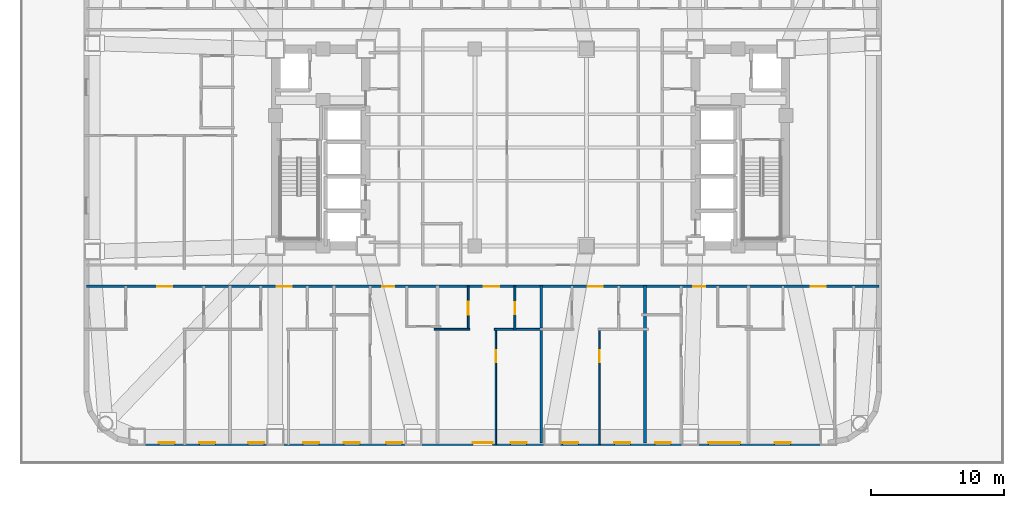
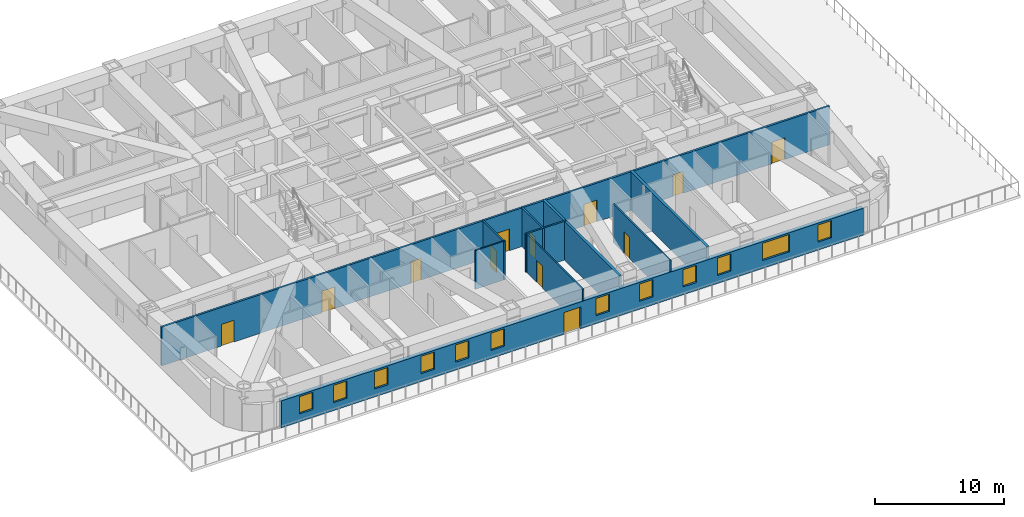
# One storey, part 5 of 15: 12 doors, 12 windows, 10 walls, 24 openings.
"""IFC4 building model written with IfcOpenShell, lengths in metres."""

from ifc_helpers import new_model, si_unit, direction, frame, frame_2d, origin, place, context, subcontext, project, spatial, rectangle, extrude, material, layer, layer_set, type_object, element, fill, save


model = new_model("IFC4")

# Units and contexts
model_context = context("Model", 3, precision=1e-05, world=origin(), true_north=direction((0.0, 1.0)))
body_context = subcontext(model_context, "Body", "Model", "MODEL_VIEW")
ifc_project = project(units=[si_unit("LENGTHUNIT", "METRE"), si_unit("AREAUNIT", "SQUARE_METRE"), si_unit("VOLUMEUNIT", "CUBIC_METRE"), si_unit("PLANEANGLEUNIT", "RADIAN"), si_unit("MASSUNIT", "GRAM", prefix="KILO")], contexts=[model_context])

# Site, building, storey
site_placement = place(None, origin())
site = spatial("IfcSite", under=ifc_project, at=site_placement, CompositionType="ELEMENT")
building_placement = place(site_placement, origin())
building = spatial("IfcBuilding", under=site, at=building_placement, Name="Voryun Gate Residences", CompositionType="ELEMENT")
storey_placement = place(building_placement, frame((0.0, 0.0, 26.0)))
storey = spatial("IfcBuildingStorey", under=building, at=storey_placement, Name="L05", CompositionType="ELEMENT", Elevation=26.0)

# Wall, openings, doors
ifc_material_1 = material(Name="Gypsum acoustic fireboard")
ifc_layer_1 = layer(ifc_material_1, 0.179931640625, Name="W_CORR_RATED_180")
ifc_layer_set_1 = layer_set([ifc_layer_1], Name="Gypsum acoustic fireboard")
wall_type_1 = type_object("IfcWallType", Name="W_CORR_RATED_180", PredefinedType="PARTITIONING", material=ifc_layer_set_1)
wall_1_placement = place(storey_placement, frame((-33.409912109375, -10.449951171875, 0.0), z_axis=(0.0, 0.0, 1.0), x_axis=(1.0, 0.0, 0.0)))
wall_1 = element("IfcWall", 1, at=wall_1_placement, inside=storey, type_object=wall_type_1, Name="Partition wall WP-L05-SCORR", PredefinedType="PARTITIONING", context=body_context, shape_type="SweptSolid", body=[
    extrude(rectangle(XDim=59.619873046875, YDim=0.179931640625, at=frame_2d((29.81005859375, 0.0))), origin(), (0.0, 0.0, 1.0), 3.64990234375),
])
opening_1_placement = place(wall_1_placement, frame((5.3212890625, 0.0, 0.0)))
opening_1 = element("IfcOpeningElement", 2, at=opening_1_placement, cuts=wall_1, Name="Opening D-UNIT-1", PredefinedType="OPENING", context=body_context, shape_type="SweptSolid", body=[
    extrude(rectangle(XDim=1.14990234375, YDim=2.050048828125, at=frame_2d((0.574951171875, 1.02490234375))), frame((0.0, 0.099853515625, 0.0), z_axis=(0.0, -1.0, 0.0), x_axis=(1.0, 0.0, 0.0)), (0.0, 0.0, 1.0), 0.199951171875),
])
opening_2_placement = place(wall_1_placement, frame((14.30029296875, 0.0, 0.0)))
opening_2 = element("IfcOpeningElement", 3, at=opening_2_placement, cuts=wall_1, Name="Opening D-UNIT-1", PredefinedType="OPENING", context=body_context, shape_type="SweptSolid", body=[
    extrude(rectangle(XDim=1.14990234375, YDim=2.050048828125, at=frame_2d((0.574951171875, 1.02490234375))), frame((0.0, 0.099853515625, 0.0), z_axis=(0.0, -1.0, 0.0), x_axis=(1.0, 0.0, 0.0)), (0.0, 0.0, 1.0), 0.199951171875),
])
opening_3_placement = place(wall_1_placement, frame((22.26513671875, 0.0, 0.0)))
opening_3 = element("IfcOpeningElement", 4, at=opening_3_placement, cuts=wall_1, Name="Opening D-INT-2", PredefinedType="OPENING", context=body_context, shape_type="SweptSolid", body=[
    extrude(rectangle(XDim=0.89990234375, YDim=2.050048828125, at=frame_2d((0.449951171875, 1.02490234375))), frame((0.0, 0.099853515625, 0.0), z_axis=(0.0, -1.0, 0.0), x_axis=(1.0, 0.0, 0.0)), (0.0, 0.0, 1.0), 0.199951171875),
])
opening_4_placement = place(wall_1_placement, frame((29.902587890625, 0.0, 0.0)))
opening_4 = element("IfcOpeningElement", 5, at=opening_4_placement, cuts=wall_1, Name="Opening D-UNIT-1", PredefinedType="OPENING", context=body_context, shape_type="SweptSolid", body=[
    extrude(rectangle(XDim=1.14990234375, YDim=2.050048828125, at=frame_2d((0.574951171875, 1.02490234375))), frame((0.0, 0.099853515625, 0.0), z_axis=(0.0, -1.0, 0.0), x_axis=(1.0, 0.0, 0.0)), (0.0, 0.0, 1.0), 0.199951171875),
])
opening_5_placement = place(wall_1_placement, frame((37.700927734375, 0.0, 0.0)))
opening_5 = element("IfcOpeningElement", 6, at=opening_5_placement, cuts=wall_1, Name="Opening D-UNIT-1", PredefinedType="OPENING", context=body_context, shape_type="SweptSolid", body=[
    extrude(rectangle(XDim=1.14990234375, YDim=2.050048828125, at=frame_2d((0.574951171875, 1.02490234375))), frame((0.0, 0.099853515625, 0.0), z_axis=(0.0, -1.0, 0.0), x_axis=(1.0, 0.0, 0.0)), (0.0, 0.0, 1.0), 0.199951171875),
])
opening_6_placement = place(wall_1_placement, frame((45.654052734375, 0.0, 0.0)))
opening_6 = element("IfcOpeningElement", 7, at=opening_6_placement, cuts=wall_1, Name="Opening D-INT-2", PredefinedType="OPENING", context=body_context, shape_type="SweptSolid", body=[
    extrude(rectangle(XDim=0.89990234375, YDim=2.050048828125, at=frame_2d((0.449951171875, 1.02490234375))), frame((0.0, 0.099853515625, 0.0), z_axis=(0.0, -1.0, 0.0), x_axis=(1.0, 0.0, 0.0)), (0.0, 0.0, 1.0), 0.199951171875),
])
opening_7_placement = place(wall_1_placement, frame((54.47216796875, 0.0, 0.0)))
opening_7 = element("IfcOpeningElement", 8, at=opening_7_placement, cuts=wall_1, Name="Opening D-UNIT-1", PredefinedType="OPENING", context=body_context, shape_type="SweptSolid", body=[
    extrude(rectangle(XDim=1.14990234375, YDim=2.050048828125, at=frame_2d((0.574951171875, 1.02490234375))), frame((0.0, 0.099853515625, 0.0), z_axis=(0.0, -1.0, 0.0), x_axis=(1.0, 0.0, 0.0)), (0.0, 0.0, 1.0), 0.199951171875),
])
ifc_material_2 = material(Name="Architectural oak veneer")
door_type_1 = type_object("IfcDoorType", Name="DR_INT_BATH_900", OperationType="NOTDEFINED", PredefinedType="DOOR", material=ifc_material_2)
door_1_placement = place(opening_3_placement, origin())
door_1 = element("IfcDoor", 9, at=door_1_placement, inside=storey, type_object=door_type_1, Name="Door DR-L05-SENT-3", OperationType="SINGLE_SWING_RIGHT", OverallHeight=2.050048828125, OverallWidth=0.89990234375, PredefinedType="DOOR", context=body_context, shape_type="SweptSolid", body=[
    extrude(rectangle(XDim=0.89990234375, YDim=2.050048828125, at=frame_2d((0.449951171875, 1.02490234375))), frame((0.0, 0.02490234375, 0.0), z_axis=(0.0, -1.0, 0.0), x_axis=(1.0, 0.0, 0.0)), (0.0, 0.0, 1.0), 0.050048828125),
])
fill(opening_3, door_1)
door_2_placement = place(opening_6_placement, origin())
door_2 = element("IfcDoor", 10, at=door_2_placement, inside=storey, type_object=door_type_1, Name="Door DR-L05-SENT-6", OperationType="SINGLE_SWING_LEFT", OverallHeight=2.050048828125, OverallWidth=0.89990234375, PredefinedType="DOOR", context=body_context, shape_type="SweptSolid", body=[
    extrude(rectangle(XDim=0.89990234375, YDim=2.050048828125, at=frame_2d((0.449951171875, 1.02490234375))), frame((0.0, 0.02490234375, 0.0), z_axis=(0.0, -1.0, 0.0), x_axis=(1.0, 0.0, 0.0)), (0.0, 0.0, 1.0), 0.050048828125),
])
fill(opening_6, door_2)
ifc_material_3 = material(Name="Armoured timber-clad fire door", Category="wood")
door_type_2 = type_object("IfcDoorType", Name="DR_UNIT_ENTRY_1150", OperationType="NOTDEFINED", PredefinedType="DOOR", material=ifc_material_3)
door_3_placement = place(opening_1_placement, origin())
door_3 = element("IfcDoor", 11, at=door_3_placement, inside=storey, type_object=door_type_2, Name="Door DR-L05-SENT-1", OperationType="SINGLE_SWING_RIGHT", OverallHeight=2.050048828125, OverallWidth=1.14990234375, PredefinedType="DOOR", context=body_context, shape_type="SweptSolid", body=[
    extrude(rectangle(XDim=1.14990234375, YDim=2.050048828125, at=frame_2d((0.574951171875, 1.02490234375))), frame((0.0, 0.02490234375, 0.0), z_axis=(0.0, -1.0, 0.0), x_axis=(1.0, 0.0, 0.0)), (0.0, 0.0, 1.0), 0.050048828125),
])
fill(opening_1, door_3)
door_4_placement = place(opening_2_placement, origin())
door_4 = element("IfcDoor", 12, at=door_4_placement, inside=storey, type_object=door_type_2, Name="Door DR-L05-SENT-2", OperationType="SINGLE_SWING_LEFT", OverallHeight=2.050048828125, OverallWidth=1.14990234375, PredefinedType="DOOR", context=body_context, shape_type="SweptSolid", body=[
    extrude(rectangle(XDim=1.14990234375, YDim=2.050048828125, at=frame_2d((0.574951171875, 1.02490234375))), frame((0.0, 0.02490234375, 0.0), z_axis=(0.0, -1.0, 0.0), x_axis=(1.0, 0.0, 0.0)), (0.0, 0.0, 1.0), 0.050048828125),
])
fill(opening_2, door_4)
door_5_placement = place(opening_4_placement, origin())
door_5 = element("IfcDoor", 13, at=door_5_placement, inside=storey, type_object=door_type_2, Name="Door DR-L05-SENT-4", OperationType="SINGLE_SWING_LEFT", OverallHeight=2.050048828125, OverallWidth=1.14990234375, PredefinedType="DOOR", context=body_context, shape_type="SweptSolid", body=[
    extrude(rectangle(XDim=1.14990234375, YDim=2.050048828125, at=frame_2d((0.574951171875, 1.02490234375))), frame((0.0, 0.02490234375, 0.0), z_axis=(0.0, -1.0, 0.0), x_axis=(1.0, 0.0, 0.0)), (0.0, 0.0, 1.0), 0.050048828125),
])
fill(opening_4, door_5)
door_6_placement = place(opening_5_placement, origin())
door_6 = element("IfcDoor", 14, at=door_6_placement, inside=storey, type_object=door_type_2, Name="Door DR-L05-SENT-5", OperationType="SINGLE_SWING_RIGHT", OverallHeight=2.050048828125, OverallWidth=1.14990234375, PredefinedType="DOOR", context=body_context, shape_type="SweptSolid", body=[
    extrude(rectangle(XDim=1.14990234375, YDim=2.050048828125, at=frame_2d((0.574951171875, 1.02490234375))), frame((0.0, 0.02490234375, 0.0), z_axis=(0.0, -1.0, 0.0), x_axis=(1.0, 0.0, 0.0)), (0.0, 0.0, 1.0), 0.050048828125),
])
fill(opening_5, door_6)
door_7_placement = place(opening_7_placement, origin())
door_7 = element("IfcDoor", 15, at=door_7_placement, inside=storey, type_object=door_type_2, Name="Door DR-L05-SENT-7", OperationType="SINGLE_SWING_RIGHT", OverallHeight=2.050048828125, OverallWidth=1.14990234375, PredefinedType="DOOR", context=body_context, shape_type="SweptSolid", body=[
    extrude(rectangle(XDim=1.14990234375, YDim=2.050048828125, at=frame_2d((0.574951171875, 1.02490234375))), frame((0.0, 0.02490234375, 0.0), z_axis=(0.0, -1.0, 0.0), x_axis=(1.0, 0.0, 0.0)), (0.0, 0.0, 1.0), 0.050048828125),
])
fill(opening_7, door_7)

# Wall, openings, door, windows
ifc_material_4 = material(Name="Granite masonry", Category="masonry")
ifc_layer_2 = layer(ifc_material_4, 0.3798828125, Name="W_EXT_GRANITE_380")
ifc_layer_set_2 = layer_set([ifc_layer_2], Name="Granite masonry")
wall_type_2 = type_object("IfcWallType", Name="W_EXT_GRANITE_380", PredefinedType="ELEMENTEDWALL", material=ifc_layer_set_2)
wall_2_placement = place(storey_placement, frame((22.38134765625, -22.2099609375, 0.0), z_axis=(0.0, 0.0, 1.0), x_axis=(-1.0, 0.0, 0.0)))
wall_2 = element("IfcWall", 16, at=wall_2_placement, inside=storey, type_object=wall_type_2, Name="Exterior wall WEXT-L05-01", PredefinedType="ELEMENTEDWALL", context=body_context, shape_type="SweptSolid", body=[
    extrude(rectangle(XDim=51.962646484375, YDim=0.3798828125, at=frame_2d((25.9814453125, 0.0))), origin(), (0.0, 0.0, 1.0), 2.5400390625),
])
opening_8_placement = place(wall_2_placement, frame((25.23095703125, 0.0, 0.0)))
opening_8 = element("IfcOpeningElement", 17, at=opening_8_placement, cuts=wall_2, Name="Opening D-TER-1", PredefinedType="OPENING", context=body_context, shape_type="SweptSolid", body=[
    extrude(rectangle(XDim=1.5, YDim=2.050048828125, at=frame_2d((0.75, 1.02490234375))), frame((0.0, 0.199951171875, 0.0), z_axis=(0.0, -1.0, 0.0), x_axis=(1.0, 0.0, 0.0)), (0.0, 0.0, 1.0), 0.39990234375),
])
opening_9_placement = place(wall_2_placement, frame((6.6103515625, 0.0, 0.75)))
opening_9 = element("IfcOpeningElement", 18, at=opening_9_placement, cuts=wall_2, Name="Opening WN2", PredefinedType="OPENING", context=body_context, shape_type="SweptSolid", body=[
    extrude(rectangle(XDim=2.39990234375, YDim=1.6298828125, at=frame_2d((1.199951171875, 0.81494140625))), frame((0.0, 0.199951171875, 0.0), z_axis=(0.0, -1.0, 0.0), x_axis=(1.0, 0.0, 0.0)), (0.0, 0.0, 1.0), 0.39990234375),
])
opening_10_placement = place(wall_2_placement, frame((49.1318359375, 0.0, 0.75)))
opening_10 = element("IfcOpeningElement", 19, at=opening_10_placement, cuts=wall_2, Name="Opening WN6", PredefinedType="OPENING", context=body_context, shape_type="SweptSolid", body=[
    extrude(rectangle(XDim=1.199951171875, YDim=1.6298828125, at=frame_2d((0.60009765625, 0.81494140625))), frame((0.0, 0.199951171875, 0.0), z_axis=(0.0, -1.0, 0.0), x_axis=(1.0, 0.0, 0.0)), (0.0, 0.0, 1.0), 0.39990234375),
])
opening_11_placement = place(wall_2_placement, frame((46.086181640625, 0.0, 0.75)))
opening_11 = element("IfcOpeningElement", 20, at=opening_11_placement, cuts=wall_2, Name="Opening WN6", PredefinedType="OPENING", context=body_context, shape_type="SweptSolid", body=[
    extrude(rectangle(XDim=1.199951171875, YDim=1.6298828125, at=frame_2d((0.60009765625, 0.81494140625))), frame((0.0, 0.199951171875, 0.0), z_axis=(0.0, -1.0, 0.0), x_axis=(1.0, 0.0, 0.0)), (0.0, 0.0, 1.0), 0.39990234375),
])
opening_12_placement = place(wall_2_placement, frame((42.42626953125, 0.0, 0.75)))
opening_12 = element("IfcOpeningElement", 21, at=opening_12_placement, cuts=wall_2, Name="Opening WN6", PredefinedType="OPENING", context=body_context, shape_type="SweptSolid", body=[
    extrude(rectangle(XDim=1.199951171875, YDim=1.6298828125, at=frame_2d((0.60009765625, 0.81494140625))), frame((0.0, 0.199951171875, 0.0), z_axis=(0.0, -1.0, 0.0), x_axis=(1.0, 0.0, 0.0)), (0.0, 0.0, 1.0), 0.39990234375),
])
opening_13_placement = place(wall_2_placement, frame((38.286376953125, 0.0, 0.75)))
opening_13 = element("IfcOpeningElement", 22, at=opening_13_placement, cuts=wall_2, Name="Opening WN6", PredefinedType="OPENING", context=body_context, shape_type="SweptSolid", body=[
    extrude(rectangle(XDim=1.199951171875, YDim=1.6298828125, at=frame_2d((0.60009765625, 0.81494140625))), frame((0.0, 0.199951171875, 0.0), z_axis=(0.0, -1.0, 0.0), x_axis=(1.0, 0.0, 0.0)), (0.0, 0.0, 1.0), 0.39990234375),
])
opening_14_placement = place(wall_2_placement, frame((35.21875, 0.0, 0.75)))
opening_14 = element("IfcOpeningElement", 23, at=opening_14_placement, cuts=wall_2, Name="Opening WN6", PredefinedType="OPENING", context=body_context, shape_type="SweptSolid", body=[
    extrude(rectangle(XDim=1.199951171875, YDim=1.6298828125, at=frame_2d((0.60009765625, 0.81494140625))), frame((0.0, 0.199951171875, 0.0), z_axis=(0.0, -1.0, 0.0), x_axis=(1.0, 0.0, 0.0)), (0.0, 0.0, 1.0), 0.39990234375),
])
opening_15_placement = place(wall_2_placement, frame((32.038818359375, 0.0, 0.75)))
opening_15 = element("IfcOpeningElement", 24, at=opening_15_placement, cuts=wall_2, Name="Opening WN6", PredefinedType="OPENING", context=body_context, shape_type="SweptSolid", body=[
    extrude(rectangle(XDim=1.199951171875, YDim=1.6298828125, at=frame_2d((0.60009765625, 0.81494140625))), frame((0.0, 0.199951171875, 0.0), z_axis=(0.0, -1.0, 0.0), x_axis=(1.0, 0.0, 0.0)), (0.0, 0.0, 1.0), 0.39990234375),
])
opening_16_placement = place(wall_2_placement, frame((22.686279296875, 0.0, 0.75)))
opening_16 = element("IfcOpeningElement", 25, at=opening_16_placement, cuts=wall_2, Name="Opening WN6", PredefinedType="OPENING", context=body_context, shape_type="SweptSolid", body=[
    extrude(rectangle(XDim=1.199951171875, YDim=1.6298828125, at=frame_2d((0.60009765625, 0.81494140625))), frame((0.0, 0.199951171875, 0.0), z_axis=(0.0, -1.0, 0.0), x_axis=(1.0, 0.0, 0.0)), (0.0, 0.0, 1.0), 0.39990234375),
])
opening_17_placement = place(wall_2_placement, frame((18.786376953125, 0.0, 0.75)))
opening_17 = element("IfcOpeningElement", 26, at=opening_17_placement, cuts=wall_2, Name="Opening WN6", PredefinedType="OPENING", context=body_context, shape_type="SweptSolid", body=[
    extrude(rectangle(XDim=1.199951171875, YDim=1.6298828125, at=frame_2d((0.60009765625, 0.81494140625))), frame((0.0, 0.199951171875, 0.0), z_axis=(0.0, -1.0, 0.0), x_axis=(1.0, 0.0, 0.0)), (0.0, 0.0, 1.0), 0.39990234375),
])
opening_18_placement = place(wall_2_placement, frame((14.88623046875, 0.0, 0.75)))
opening_18 = element("IfcOpeningElement", 27, at=opening_18_placement, cuts=wall_2, Name="Opening WN6", PredefinedType="OPENING", context=body_context, shape_type="SweptSolid", body=[
    extrude(rectangle(XDim=1.199951171875, YDim=1.6298828125, at=frame_2d((0.60009765625, 0.81494140625))), frame((0.0, 0.199951171875, 0.0), z_axis=(0.0, -1.0, 0.0), x_axis=(1.0, 0.0, 0.0)), (0.0, 0.0, 1.0), 0.39990234375),
])
opening_19_placement = place(wall_2_placement, frame((11.826416015625, 0.0, 0.75)))
opening_19 = element("IfcOpeningElement", 28, at=opening_19_placement, cuts=wall_2, Name="Opening WN6", PredefinedType="OPENING", context=body_context, shape_type="SweptSolid", body=[
    extrude(rectangle(XDim=1.199951171875, YDim=1.6298828125, at=frame_2d((0.60009765625, 0.81494140625))), frame((0.0, 0.199951171875, 0.0), z_axis=(0.0, -1.0, 0.0), x_axis=(1.0, 0.0, 0.0)), (0.0, 0.0, 1.0), 0.39990234375),
])
opening_20_placement = place(wall_2_placement, frame((2.835693359375, 0.0, 0.75)))
opening_20 = element("IfcOpeningElement", 29, at=opening_20_placement, cuts=wall_2, Name="Opening WN6", PredefinedType="OPENING", context=body_context, shape_type="SweptSolid", body=[
    extrude(rectangle(XDim=1.199951171875, YDim=1.6298828125, at=frame_2d((0.60009765625, 0.81494140625))), frame((0.0, 0.199951171875, 0.0), z_axis=(0.0, -1.0, 0.0), x_axis=(1.0, 0.0, 0.0)), (0.0, 0.0, 1.0), 0.39990234375),
])
ifc_material_5 = material(Name="Thermally broken aluminium and low-E glass", Category="aluminium")
door_type_3 = type_object("IfcDoorType", Name="DR_TERR_EXIT_1500", OperationType="NOTDEFINED", PredefinedType="DOOR", material=ifc_material_5)
door_8_placement = place(opening_8_placement, origin())
door_8 = element("IfcDoor", 30, at=door_8_placement, inside=storey, type_object=door_type_3, Name="Door DR-L05-OUT-01", OperationType="SLIDING_TO_RIGHT", OverallHeight=2.050048828125, OverallWidth=1.5, PredefinedType="DOOR", context=body_context, shape_type="SweptSolid", body=[
    extrude(rectangle(XDim=1.5, YDim=2.050048828125, at=frame_2d((0.75, 1.02490234375))), frame((0.0, 0.02490234375, 0.0), z_axis=(0.0, -1.0, 0.0), x_axis=(1.0, 0.0, 0.0)), (0.0, 0.0, 1.0), 0.050048828125),
])
fill(opening_8, door_8)
ifc_material_6 = material(Name="Laminated low-E glass", Category="glass")
window_type_1 = type_object("IfcWindowType", Name="WN_POD_SLOT_1200", PartitioningType="SINGLE_PANEL", PredefinedType="WINDOW", material=ifc_material_6)
window_1_placement = place(opening_10_placement, origin())
window_1 = element("IfcWindow", 31, at=window_1_placement, inside=storey, type_object=window_type_1, Name="Window WN-L05-DWFIX-14", OverallHeight=1.6298828125, OverallWidth=1.199951171875, PartitioningType="SINGLE_PANEL", PredefinedType="WINDOW", context=body_context, shape_type="SweptSolid", body=[
    extrude(rectangle(XDim=1.199951171875, YDim=1.6298828125, at=frame_2d((0.60009765625, 0.81494140625))), frame((0.0, 0.030029296875, 0.0), z_axis=(0.0, -1.0, 0.0), x_axis=(1.0, 0.0, 0.0)), (0.0, 0.0, 1.0), 0.06005859375),
])
fill(opening_10, window_1)
window_2_placement = place(opening_11_placement, origin())
window_2 = element("IfcWindow", 32, at=window_2_placement, inside=storey, type_object=window_type_1, Name="Window WN-L05-DWFIX-15", OverallHeight=1.6298828125, OverallWidth=1.199951171875, PartitioningType="SINGLE_PANEL", PredefinedType="WINDOW", context=body_context, shape_type="SweptSolid", body=[
    extrude(rectangle(XDim=1.199951171875, YDim=1.6298828125, at=frame_2d((0.60009765625, 0.81494140625))), frame((0.0, 0.030029296875, 0.0), z_axis=(0.0, -1.0, 0.0), x_axis=(1.0, 0.0, 0.0)), (0.0, 0.0, 1.0), 0.06005859375),
])
fill(opening_11, window_2)
window_3_placement = place(opening_12_placement, origin())
window_3 = element("IfcWindow", 33, at=window_3_placement, inside=storey, type_object=window_type_1, Name="Window WN-L05-DWFIX-16", OverallHeight=1.6298828125, OverallWidth=1.199951171875, PartitioningType="SINGLE_PANEL", PredefinedType="WINDOW", context=body_context, shape_type="SweptSolid", body=[
    extrude(rectangle(XDim=1.199951171875, YDim=1.6298828125, at=frame_2d((0.60009765625, 0.81494140625))), frame((0.0, 0.030029296875, 0.0), z_axis=(0.0, -1.0, 0.0), x_axis=(1.0, 0.0, 0.0)), (0.0, 0.0, 1.0), 0.06005859375),
])
fill(opening_12, window_3)
window_4_placement = place(opening_13_placement, origin())
window_4 = element("IfcWindow", 34, at=window_4_placement, inside=storey, type_object=window_type_1, Name="Window WN-L05-DWFIX-17", OverallHeight=1.6298828125, OverallWidth=1.199951171875, PartitioningType="SINGLE_PANEL", PredefinedType="WINDOW", context=body_context, shape_type="SweptSolid", body=[
    extrude(rectangle(XDim=1.199951171875, YDim=1.6298828125, at=frame_2d((0.60009765625, 0.81494140625))), frame((0.0, 0.030029296875, 0.0), z_axis=(0.0, -1.0, 0.0), x_axis=(1.0, 0.0, 0.0)), (0.0, 0.0, 1.0), 0.06005859375),
])
fill(opening_13, window_4)
window_5_placement = place(opening_14_placement, origin())
window_5 = element("IfcWindow", 35, at=window_5_placement, inside=storey, type_object=window_type_1, Name="Window WN-L05-DWFIX-18", OverallHeight=1.6298828125, OverallWidth=1.199951171875, PartitioningType="SINGLE_PANEL", PredefinedType="WINDOW", context=body_context, shape_type="SweptSolid", body=[
    extrude(rectangle(XDim=1.199951171875, YDim=1.6298828125, at=frame_2d((0.60009765625, 0.81494140625))), frame((0.0, 0.030029296875, 0.0), z_axis=(0.0, -1.0, 0.0), x_axis=(1.0, 0.0, 0.0)), (0.0, 0.0, 1.0), 0.06005859375),
])
fill(opening_14, window_5)
window_6_placement = place(opening_15_placement, origin())
window_6 = element("IfcWindow", 36, at=window_6_placement, inside=storey, type_object=window_type_1, Name="Window WN-L05-DWFIX-19", OverallHeight=1.6298828125, OverallWidth=1.199951171875, PartitioningType="SINGLE_PANEL", PredefinedType="WINDOW", context=body_context, shape_type="SweptSolid", body=[
    extrude(rectangle(XDim=1.199951171875, YDim=1.6298828125, at=frame_2d((0.60009765625, 0.81494140625))), frame((0.0, 0.030029296875, 0.0), z_axis=(0.0, -1.0, 0.0), x_axis=(1.0, 0.0, 0.0)), (0.0, 0.0, 1.0), 0.06005859375),
])
fill(opening_15, window_6)
window_7_placement = place(opening_16_placement, origin())
window_7 = element("IfcWindow", 37, at=window_7_placement, inside=storey, type_object=window_type_1, Name="Window WN-L05-DWFIX-20", OverallHeight=1.6298828125, OverallWidth=1.199951171875, PartitioningType="SINGLE_PANEL", PredefinedType="WINDOW", context=body_context, shape_type="SweptSolid", body=[
    extrude(rectangle(XDim=1.199951171875, YDim=1.6298828125, at=frame_2d((0.60009765625, 0.81494140625))), frame((0.0, 0.030029296875, 0.0), z_axis=(0.0, -1.0, 0.0), x_axis=(1.0, 0.0, 0.0)), (0.0, 0.0, 1.0), 0.06005859375),
])
fill(opening_16, window_7)
window_8_placement = place(opening_17_placement, origin())
window_8 = element("IfcWindow", 38, at=window_8_placement, inside=storey, type_object=window_type_1, Name="Window WN-L05-DWFIX-21", OverallHeight=1.6298828125, OverallWidth=1.199951171875, PartitioningType="SINGLE_PANEL", PredefinedType="WINDOW", context=body_context, shape_type="SweptSolid", body=[
    extrude(rectangle(XDim=1.199951171875, YDim=1.6298828125, at=frame_2d((0.60009765625, 0.81494140625))), frame((0.0, 0.030029296875, 0.0), z_axis=(0.0, -1.0, 0.0), x_axis=(1.0, 0.0, 0.0)), (0.0, 0.0, 1.0), 0.06005859375),
])
fill(opening_17, window_8)
window_9_placement = place(opening_18_placement, origin())
window_9 = element("IfcWindow", 39, at=window_9_placement, inside=storey, type_object=window_type_1, Name="Window WN-L05-DWFIX-22", OverallHeight=1.6298828125, OverallWidth=1.199951171875, PartitioningType="SINGLE_PANEL", PredefinedType="WINDOW", context=body_context, shape_type="SweptSolid", body=[
    extrude(rectangle(XDim=1.199951171875, YDim=1.6298828125, at=frame_2d((0.60009765625, 0.81494140625))), frame((0.0, 0.030029296875, 0.0), z_axis=(0.0, -1.0, 0.0), x_axis=(1.0, 0.0, 0.0)), (0.0, 0.0, 1.0), 0.06005859375),
])
fill(opening_18, window_9)
window_10_placement = place(opening_19_placement, origin())
window_10 = element("IfcWindow", 40, at=window_10_placement, inside=storey, type_object=window_type_1, Name="Window WN-L05-DWFIX-23", OverallHeight=1.6298828125, OverallWidth=1.199951171875, PartitioningType="SINGLE_PANEL", PredefinedType="WINDOW", context=body_context, shape_type="SweptSolid", body=[
    extrude(rectangle(XDim=1.199951171875, YDim=1.6298828125, at=frame_2d((0.60009765625, 0.81494140625))), frame((0.0, 0.030029296875, 0.0), z_axis=(0.0, -1.0, 0.0), x_axis=(1.0, 0.0, 0.0)), (0.0, 0.0, 1.0), 0.06005859375),
])
fill(opening_19, window_10)
window_11_placement = place(opening_20_placement, origin())
window_11 = element("IfcWindow", 41, at=window_11_placement, inside=storey, type_object=window_type_1, Name="Window WN-L05-DWFIX-24", OverallHeight=1.6298828125, OverallWidth=1.199951171875, PartitioningType="SINGLE_PANEL", PredefinedType="WINDOW", context=body_context, shape_type="SweptSolid", body=[
    extrude(rectangle(XDim=1.199951171875, YDim=1.6298828125, at=frame_2d((0.60009765625, 0.81494140625))), frame((0.0, 0.030029296875, 0.0), z_axis=(0.0, -1.0, 0.0), x_axis=(1.0, 0.0, 0.0)), (0.0, 0.0, 1.0), 0.06005859375),
])
fill(opening_20, window_11)
ifc_material_7 = material(Name="Laminated low-E glass", Category="glass")
window_type_2 = type_object("IfcWindowType", Name="WN_RES_WIDE_2400", PartitioningType="SINGLE_PANEL", PredefinedType="WINDOW", material=ifc_material_7)
window_12_placement = place(opening_9_placement, origin())
window_12 = element("IfcWindow", 42, at=window_12_placement, inside=storey, type_object=window_type_2, Name="Window WN-WEXT-L05-01-01", OverallHeight=1.6298828125, OverallWidth=2.39990234375, PartitioningType="SINGLE_PANEL", PredefinedType="WINDOW", context=body_context, shape_type="SweptSolid", body=[
    extrude(rectangle(XDim=2.39990234375, YDim=1.6298828125, at=frame_2d((1.199951171875, 0.81494140625))), frame((0.0, 0.030029296875, 0.0), z_axis=(0.0, -1.0, 0.0), x_axis=(1.0, 0.0, 0.0)), (0.0, 0.0, 1.0), 0.06005859375),
])
fill(opening_9, window_12)

# Walls
ifc_material_8 = material(Name="Concrete C40/50", Category="concrete")
ifc_layer_3 = layer(ifc_material_8, 0.219970703125, Name="W_PARTY_ACOUSTIC_220")
ifc_layer_set_3 = layer_set([ifc_layer_3], Name="Concrete C40/50")
wall_type_3 = type_object("IfcWallType", Name="W_PARTY_ACOUSTIC_220", PredefinedType="PARTITIONING", material=ifc_layer_set_3)
for number, where, z_axis, x_axis, name in (
    (43, (0.800048828125, -22.2099609375, 0.0), (0.0, 0.0, 1.0), (0.0, 1.0, 0.0), "Partition wall WP-L05-SPTY-4"),
    (44, (8.60009765625, -22.2099609375, 0.0), (0.0, 0.0, 1.0), (0.0, 1.0, 0.0), "Partition wall WP-L05-SPTY-5"),
):
    element("IfcWall", number, at=place(storey_placement, frame(where, z_axis=z_axis, x_axis=x_axis)), inside=storey, type_object=wall_type_3, Name=name, PredefinedType="PARTITIONING", context=body_context, shape_type="SweptSolid", body=[
        extrude(rectangle(XDim=11.83984375, YDim=0.219970703125, at=frame_2d((5.919921875, 0.0))), origin(), (0.0, 0.0, 1.0), 3.64990234375),
    ])

# Wall, opening, door
ifc_material_9 = material(Name="Gypsum acoustic partition")
ifc_layer_4 = layer(ifc_material_9, 0.125, Name="W_UNIT_PART_125")
ifc_layer_set_4 = layer_set([ifc_layer_4], Name="Gypsum acoustic partition")
wall_type_4 = type_object("IfcWallType", Name="W_UNIT_PART_125", PredefinedType="PARTITIONING", material=ifc_layer_set_4)
wall_3_placement = place(storey_placement, frame((-2.610107421875, -22.360107421875, 0.0), z_axis=(0.0, 0.0, 1.0), x_axis=(0.0, 1.0, 0.0)))
wall_3 = element("IfcWall", 45, at=wall_3_placement, inside=storey, type_object=wall_type_4, Name="Partition wall WP-L05-S4-OVR", PredefinedType="PARTITIONING", context=body_context, shape_type="SweptSolid", body=[
    extrude(rectangle(XDim=8.77001953125, YDim=0.125, at=frame_2d((4.385009765625, 0.0))), origin(), (0.0, 0.0, 1.0), 3.64990234375),
])
opening_21_placement = place(wall_3_placement, frame((6.215087890625, 0.0, 0.0)))
opening_21 = element("IfcOpeningElement", 46, at=opening_21_placement, cuts=wall_3, Name="Opening D-INT-2", PredefinedType="OPENING", context=body_context, shape_type="SweptSolid", body=[
    extrude(rectangle(XDim=0.89990234375, YDim=2.050048828125, at=frame_2d((0.449951171875, 1.02490234375))), frame((0.0, 0.072509765625, 0.0), z_axis=(0.0, -1.0, 0.0), x_axis=(1.0, 0.0, 0.0)), (0.0, 0.0, 1.0), 0.14501953125),
])
door_9_placement = place(opening_21_placement, origin())
door_9 = element("IfcDoor", 47, at=door_9_placement, inside=storey, type_object=door_type_1, Name="Door DR-L05-S4-DMB", OperationType="SINGLE_SWING_RIGHT", OverallHeight=2.050048828125, OverallWidth=0.89990234375, PredefinedType="DOOR", context=body_context, shape_type="SweptSolid", body=[
    extrude(rectangle(XDim=0.89990234375, YDim=2.050048828125, at=frame_2d((0.449951171875, 1.02490234375))), frame((0.0, 0.02490234375, 0.0), z_axis=(0.0, -1.0, 0.0), x_axis=(1.0, 0.0, 0.0)), (0.0, 0.0, 1.0), 0.050048828125),
])
fill(opening_21, door_9)

wall_4_placement = place(storey_placement, frame((-4.68994140625, -13.75, 0.0), z_axis=(0.0, 0.0, 1.0), x_axis=(0.0, 1.0, 0.0)))
wall_4 = element("IfcWall", 48, at=wall_4_placement, inside=storey, type_object=wall_type_4, Name="Partition wall WP-L05-S4-IVK", PredefinedType="PARTITIONING", context=body_context, shape_type="SweptSolid", body=[
    extrude(rectangle(XDim=3.320068359375, YDim=0.125, at=frame_2d((1.66015625, 0.0))), origin(), (0.0, 0.0, 1.0), 3.64990234375),
])
opening_22_placement = place(wall_4_placement, frame((1.18505859375, 0.0, 0.0)))
opening_22 = element("IfcOpeningElement", 49, at=opening_22_placement, cuts=wall_4, Name="Opening D-INT-1", PredefinedType="OPENING", context=body_context, shape_type="SweptSolid", body=[
    extrude(rectangle(XDim=0.949951171875, YDim=2.050048828125, at=frame_2d((0.47509765625, 1.02490234375))), frame((0.0, 0.072509765625, 0.0), z_axis=(0.0, -1.0, 0.0), x_axis=(1.0, 0.0, 0.0)), (0.0, 0.0, 1.0), 0.14501953125),
])
ifc_material_10 = material(Name="Architectural oak veneer")
door_type_4 = type_object("IfcDoorType", Name="DR_INT_ROOM_950", OperationType="NOTDEFINED", PredefinedType="DOOR", material=ifc_material_10)
door_10_placement = place(opening_22_placement, origin())
door_10 = element("IfcDoor", 50, at=door_10_placement, inside=storey, type_object=door_type_4, Name="Door DR-L05-S4-DK", OperationType="SINGLE_SWING_LEFT", OverallHeight=2.050048828125, OverallWidth=0.949951171875, PredefinedType="DOOR", context=body_context, shape_type="SweptSolid", body=[
    extrude(rectangle(XDim=0.949951171875, YDim=2.050048828125, at=frame_2d((0.47509765625, 1.02490234375))), frame((0.0, 0.02490234375, 0.0), z_axis=(0.0, -1.0, 0.0), x_axis=(1.0, 0.0, 0.0)), (0.0, 0.0, 1.0), 0.050048828125),
])
fill(opening_22, door_10)

# Wall
wall_5_placement = place(storey_placement, frame((-7.260009765625, -13.669921875, 0.0), z_axis=(0.0, 0.0, 1.0), x_axis=(1.0, 0.0, 0.0)))
element("IfcWall", 51, at=wall_5_placement, inside=storey, type_object=wall_type_4, Name="Partition wall WP-L05-S4-HZK", PredefinedType="PARTITIONING", context=body_context, shape_type="SweptSolid", body=[
    extrude(rectangle(XDim=2.68994140625, YDim=0.125, at=frame_2d((1.344970703125, 0.0))), origin(), (0.0, 0.0, 1.0), 3.64990234375),
])

# Wall, opening, door
wall_6_placement = place(storey_placement, frame((5.18994140625, -22.360107421875, 0.0), z_axis=(0.0, 0.0, 1.0), x_axis=(0.0, 1.0, 0.0)))
wall_6 = element("IfcWall", 52, at=wall_6_placement, inside=storey, type_object=wall_type_4, Name="Partition wall WP-L05-S5-OVR", PredefinedType="PARTITIONING", context=body_context, shape_type="SweptSolid", body=[
    extrude(rectangle(XDim=8.77001953125, YDim=0.125, at=frame_2d((4.385009765625, 0.0))), origin(), (0.0, 0.0, 1.0), 3.64990234375),
])
opening_23_placement = place(wall_6_placement, frame((6.215087890625, 0.0, 0.0)))
opening_23 = element("IfcOpeningElement", 53, at=opening_23_placement, cuts=wall_6, Name="Opening D-INT-2", PredefinedType="OPENING", context=body_context, shape_type="SweptSolid", body=[
    extrude(rectangle(XDim=0.89990234375, YDim=2.050048828125, at=frame_2d((0.449951171875, 1.02490234375))), frame((0.0, 0.072509765625, 0.0), z_axis=(0.0, -1.0, 0.0), x_axis=(1.0, 0.0, 0.0)), (0.0, 0.0, 1.0), 0.14501953125),
])
door_11_placement = place(opening_23_placement, origin())
door_11 = element("IfcDoor", 54, at=door_11_placement, inside=storey, type_object=door_type_1, Name="Door DR-L05-S5-DMB", OperationType="SINGLE_SWING_RIGHT", OverallHeight=2.050048828125, OverallWidth=0.89990234375, PredefinedType="DOOR", context=body_context, shape_type="SweptSolid", body=[
    extrude(rectangle(XDim=0.89990234375, YDim=2.050048828125, at=frame_2d((0.449951171875, 1.02490234375))), frame((0.0, 0.02490234375, 0.0), z_axis=(0.0, -1.0, 0.0), x_axis=(1.0, 0.0, 0.0)), (0.0, 0.0, 1.0), 0.050048828125),
])
fill(opening_23, door_11)

# Wall
ifc_material_11 = material(Name="Gypsum moisture-resistant partition")
ifc_layer_5 = layer(ifc_material_11, 0.14990234375, Name="W_WET_PLUMB_150")
ifc_layer_set_5 = layer_set([ifc_layer_5], Name="Gypsum moisture-resistant partition")
wall_type_5 = type_object("IfcWallType", Name="W_WET_PLUMB_150", PredefinedType="PLUMBINGWALL", material=ifc_layer_set_5)
wall_7_placement = place(storey_placement, frame((-2.72998046875, -13.669921875, 0.0), z_axis=(0.0, 0.0, 1.0), x_axis=(1.0, 0.0, 0.0)))
element("IfcWall", 55, at=wall_7_placement, inside=storey, type_object=wall_type_5, Name="Partition wall WP-L05-S4-HZB", PredefinedType="PLUMBINGWALL", context=body_context, shape_type="SweptSolid", body=[
    extrude(rectangle(XDim=3.60498046875, YDim=0.14990234375, at=frame_2d((1.802490234375, 0.0))), origin(), (0.0, 0.0, 1.0), 3.64990234375),
])

# Wall, opening, door
wall_8_placement = place(storey_placement, frame((-1.179931640625, -13.75, 0.0), z_axis=(0.0, 0.0, 1.0), x_axis=(0.0, 1.0, 0.0)))
wall_8 = element("IfcWall", 56, at=wall_8_placement, inside=storey, type_object=wall_type_5, Name="Partition wall WP-L05-S4-IVB", PredefinedType="PLUMBINGWALL", context=body_context, shape_type="SweptSolid", body=[
    extrude(rectangle(XDim=3.320068359375, YDim=0.14990234375, at=frame_2d((1.66015625, 0.0))), origin(), (0.0, 0.0, 1.0), 3.64990234375),
])
opening_24_placement = place(wall_8_placement, frame((1.2099609375, 0.0, 0.0)))
opening_24 = element("IfcOpeningElement", 57, at=opening_24_placement, cuts=wall_8, Name="Opening D-INT-2", PredefinedType="OPENING", context=body_context, shape_type="SweptSolid", body=[
    extrude(rectangle(XDim=0.89990234375, YDim=2.050048828125, at=frame_2d((0.449951171875, 1.02490234375))), frame((0.0, 0.0849609375, 0.0), z_axis=(0.0, -1.0, 0.0), x_axis=(1.0, 0.0, 0.0)), (0.0, 0.0, 1.0), 0.169921875),
])
door_12_placement = place(opening_24_placement, origin())
door_12 = element("IfcDoor", 58, at=door_12_placement, inside=storey, type_object=door_type_1, Name="Door DR-L05-S4-DB", OperationType="SINGLE_SWING_RIGHT", OverallHeight=2.050048828125, OverallWidth=0.89990234375, PredefinedType="DOOR", context=body_context, shape_type="SweptSolid", body=[
    extrude(rectangle(XDim=0.89990234375, YDim=2.050048828125, at=frame_2d((0.449951171875, 1.02490234375))), frame((0.0, 0.02490234375, 0.0), z_axis=(0.0, -1.0, 0.0), x_axis=(1.0, 0.0, 0.0)), (0.0, 0.0, 1.0), 0.050048828125),
])
fill(opening_24, door_12)

save(model, "model.ifc")
